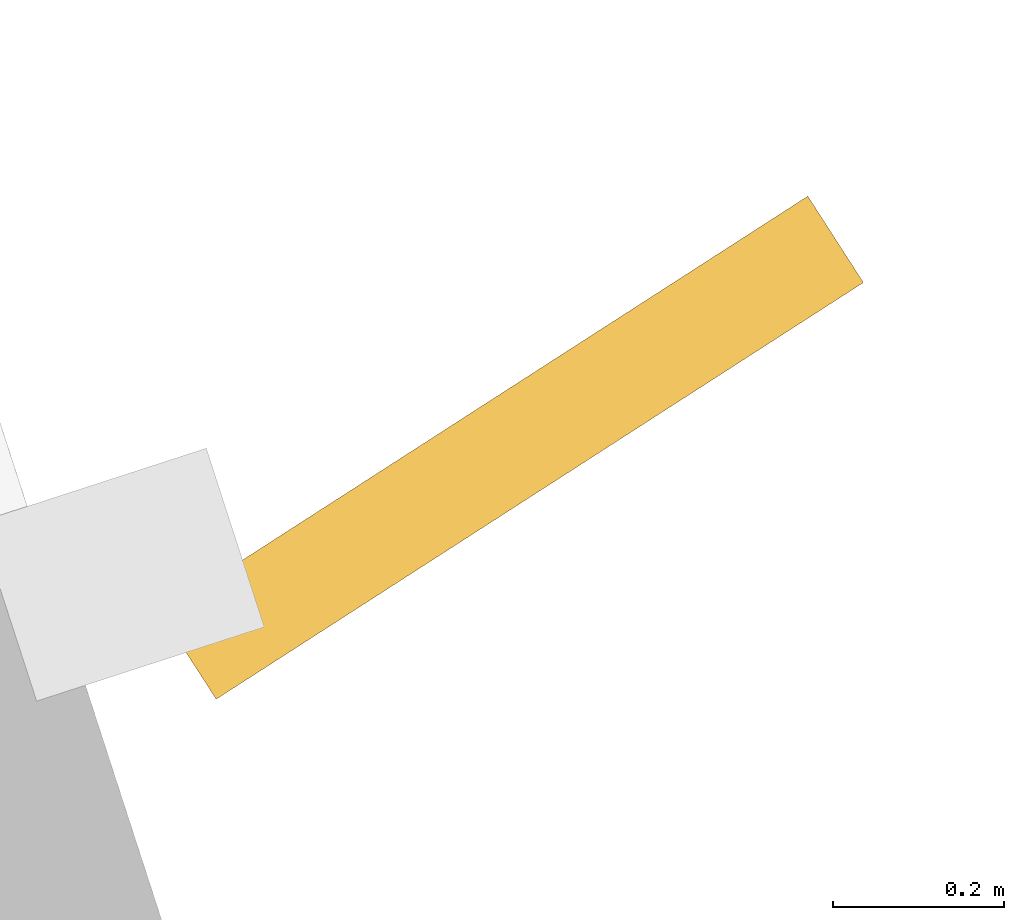
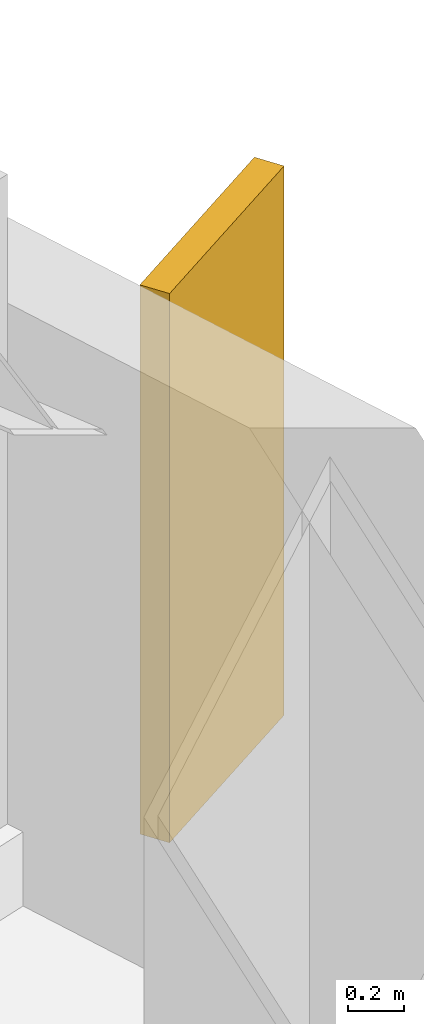
# One storey, part 18 of 18: 1 shading device.
"""IFC4 building model written with IfcOpenShell, lengths in metres."""

from ifc_helpers import new_model, si_unit, direction, frame, origin, origin_2d, place, context, subcontext, project, spatial, rectangle, extrude, material, layer, layer_set, type_object, element, save


model = new_model("IFC4")

# Units and contexts
model_context = context("Model", 3, precision=1e-05, world=origin(), true_north=direction((0.0, 1.0)))
body_context = subcontext(model_context, "Body", "Model", "MODEL_VIEW")
ifc_project = project(units=[si_unit("LENGTHUNIT", "METRE"), si_unit("AREAUNIT", "SQUARE_METRE"), si_unit("VOLUMEUNIT", "CUBIC_METRE"), si_unit("PLANEANGLEUNIT", "RADIAN"), si_unit("MASSUNIT", "GRAM", prefix="KILO")], contexts=[model_context])

# Site, building, storey
site_placement = place(None, origin())
site = spatial("IfcSite", under=ifc_project, at=site_placement, CompositionType="ELEMENT")
building_placement = place(site_placement, origin())
building = spatial("IfcBuilding", under=site, at=building_placement, Name="Qiaolan Cultural Towers", CompositionType="ELEMENT")
storey_placement = place(building_placement, frame((0.0, 0.0, 57.5)))
storey = spatial("IfcBuildingStorey", under=building, at=storey_placement, Name="L13", CompositionType="ELEMENT", Elevation=57.5)

# Shading device
ifc_material = material(Name="Dark Basalt Honed Precast Terracotta Fin", Category="masonry")
ifc_layer = layer(ifc_material, 0.1201171875)
ifc_layer_set = layer_set([ifc_layer], Name="Dark Basalt Honed Precast Terracotta Fin")
shading_device_type = type_object("IfcShadingDeviceType", Name="SHD-FIN-DARK", PredefinedType="USERDEFINED", material=ifc_layer_set)
shading_device_placement = place(storey_placement, frame((105.45556640625, 50.377685546875, 0.10009765625), z_axis=(0.0, 0.0, 1.0), x_axis=(0.840830135782, 0.54129906961, 0.0)))
element("IfcShadingDevice", 1, at=shading_device_placement, inside=storey, type_object=shading_device_type, Name="L13 T2 Expressive Precast Vertical Fin E3", ObjectType="FIN", PredefinedType="USERDEFINED", context=body_context, shape_type="SweptSolid", body=[
    extrude(rectangle(XDim=0.89990234375, YDim=0.1201171875, at=origin_2d()), origin(), (0.0, 0.0, 1.0), 2.409912109375),
])

save(model, "model.ifc")
